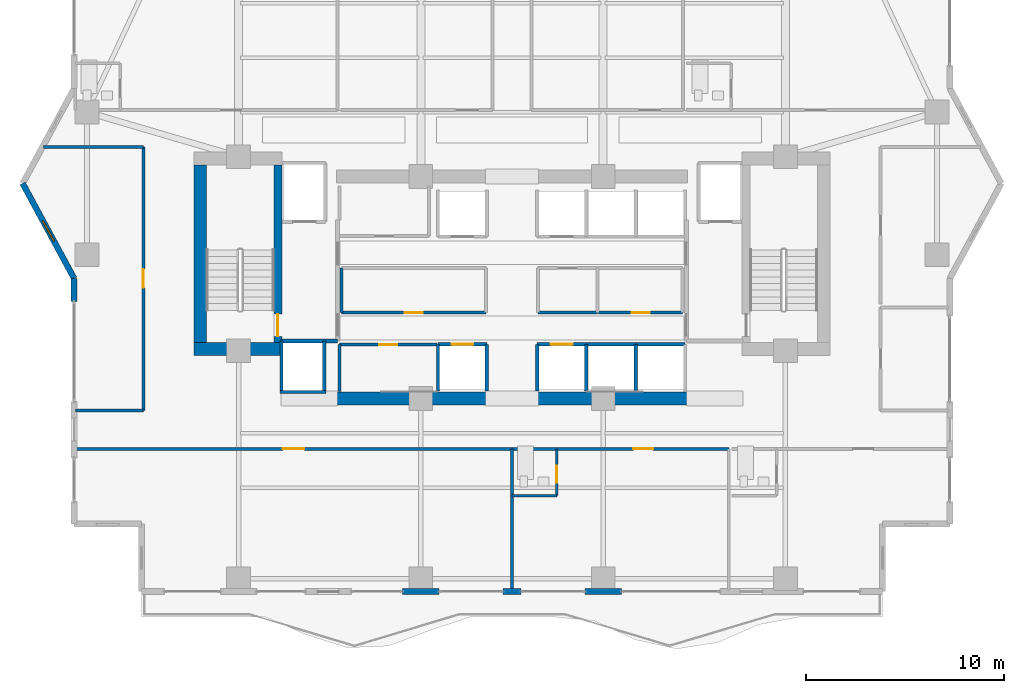
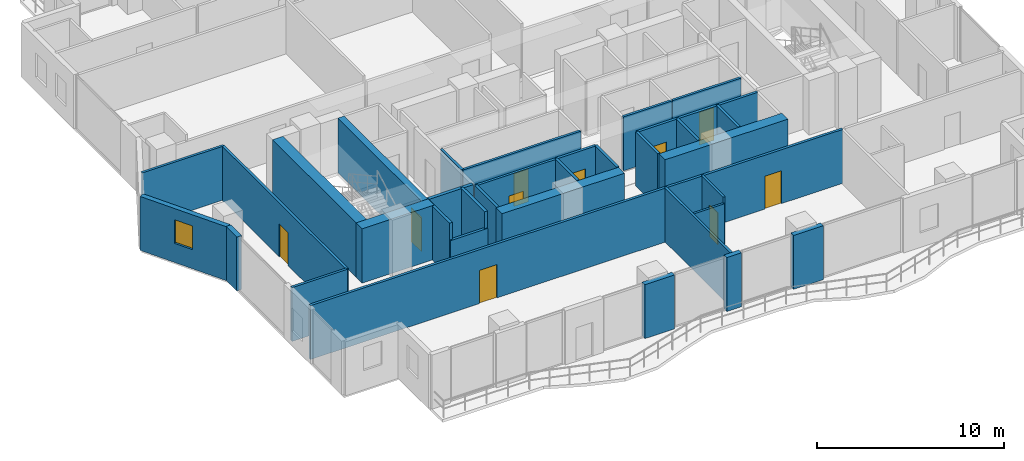
# One storey, part 25 of 33: 37 walls, 10 doors, 1 window, 11 openings.
"""IFC4 building model written with IfcOpenShell, lengths in metres."""

from ifc_helpers import new_model, si_unit, direction, frame, frame_2d, origin, place, context, subcontext, project, spatial, rectangle, extrude, material, layer, layer_set, type_object, element, fill, save


model = new_model("IFC4")

# Units and contexts
model_context = context("Model", 3, precision=1e-05, world=origin(), true_north=direction((0.0, 1.0)))
body_context = subcontext(model_context, "Body", "Model", "MODEL_VIEW")
ifc_project = project(units=[si_unit("LENGTHUNIT", "METRE"), si_unit("AREAUNIT", "SQUARE_METRE"), si_unit("VOLUMEUNIT", "CUBIC_METRE"), si_unit("PLANEANGLEUNIT", "RADIAN"), si_unit("MASSUNIT", "GRAM", prefix="KILO")], contexts=[model_context])

# Site, building, storey
site_placement = place(None, origin())
site = spatial("IfcSite", under=ifc_project, at=site_placement, CompositionType="ELEMENT")
building_placement = place(site_placement, origin())
building = spatial("IfcBuilding", under=site, at=building_placement, Name="Zuhayl Quay Hotel", CompositionType="ELEMENT")
storey_placement = place(building_placement, frame((0.0, 0.0, 214.89990234375)))
storey = spatial("IfcBuildingStorey", under=building, at=storey_placement, Name="L54", CompositionType="ELEMENT", Elevation=214.89990234375)

# Walls
ifc_material_1 = material(Name="Concrete C50/60", Category="concrete")
ifc_layer_1 = layer(ifc_material_1, 0.64990234375, Name="Concrete C50/60", Category="concrete")
ifc_layer_set_1 = layer_set([ifc_layer_1], Name="Concrete C50/60")
wall_type_1 = type_object("IfcWallType", Name="WL_CORE_650", PredefinedType="SHEAR", material=ifc_layer_set_1)
wall_1_placement = place(storey_placement, frame((-15.735107421875, 4.969970703125, 0.0), z_axis=(0.0, 0.0, 1.0), x_axis=(0.0, 1.0, 0.0)))
element("IfcWall", 1, at=wall_1_placement, inside=storey, type_object=wall_type_1, Name="L54 Core Shear Wall CW_W", PredefinedType="SHEAR", context=body_context, shape_type="SweptSolid", body=[
    extrude(rectangle(XDim=8.9599609375, YDim=0.64990234375, at=frame_2d((4.47998046875, 0.0))), origin(), (0.0, 0.0, 1.0), 3.56005859375),
])
wall_2_placement = place(storey_placement, frame((-16.06005859375, 4.64501953125, 0.0), z_axis=(0.0, 0.0, 1.0), x_axis=(1.0, 0.0, 0.0)))
element("IfcWall", 2, at=wall_2_placement, inside=storey, type_object=wall_type_1, Name="L54 Core Shear Wall CW_SW", PredefinedType="SHEAR", context=body_context, shape_type="SweptSolid", body=[
    extrude(rectangle(XDim=4.4599609375, YDim=0.64990234375, at=frame_2d((2.22998046875, 0.0))), origin(), (0.0, 0.0, 1.0), 3.56005859375),
])
for number, where, z_axis, x_axis, name in (
    (3, (-8.85009765625, 2.14990234375, 0.0), (0.0, 0.0, 1.0), (1.0, 0.0, 0.0), "L54 Core Shear Wall CW_SC_W"),
    (4, (1.25, 2.14990234375, 0.0), (0.0, 0.0, 1.0), (1.0, 0.0, 0.0), "L54 Core Shear Wall CW_SC_E"),
):
    element("IfcWall", number, at=place(storey_placement, frame(where, z_axis=z_axis, x_axis=x_axis)), inside=storey, type_object=wall_type_1, Name=name, PredefinedType="SHEAR", context=body_context, shape_type="SweptSolid", body=[
        extrude(rectangle(XDim=7.60009765625, YDim=0.64990234375, at=frame_2d((3.800048828125, 0.0))), origin(), (0.0, 0.0, 1.0), 3.530029296875),
    ])
ifc_material_2 = material(Name="Precast concrete C45/55", Category="concrete")
ifc_layer_2 = layer(ifc_material_2, 0.300048828125, Name="Precast concrete C45/55", Category="concrete")
ifc_layer_set_2 = layer_set([ifc_layer_2], Name="Precast concrete C45/55")
wall_type_2 = type_object("IfcWallType", Name="WL_EXT_300", PredefinedType="STANDARD", material=ifc_layer_set_2)
wall_3_placement = place(storey_placement, frame((-22.10009765625, 7.050048828125, 0.0), z_axis=(0.0, 0.0, 1.0), x_axis=(0.0, 1.0, 0.0)))
element("IfcWall", 5, at=wall_3_placement, inside=storey, type_object=wall_type_2, Name="L54 Exterior Precast Wall ENV_L54_E02_EW3", PredefinedType="STANDARD", context=body_context, shape_type="SweptSolid", body=[
    extrude(rectangle(XDim=1.14990234375, YDim=0.300048828125, at=frame_2d((0.574951171875, 0.0))), origin(), (0.0, 0.0, 1.0), 3.530029296875),
])

# Wall, opening, window
wall_4_placement = place(storey_placement, frame((-22.10009765625, 8.199951171875, 0.0), z_axis=(0.0, 0.0, 1.0), x_axis=(-0.476258655584, 0.879305233114, 0.0)))
wall_4 = element("IfcWall", 6, at=wall_4_placement, inside=storey, type_object=wall_type_2, Name="L54 Exterior Precast Wall ENV_L54_EW03", PredefinedType="STANDARD", context=body_context, shape_type="SweptSolid", body=[
    extrude(rectangle(XDim=5.458984375, YDim=0.300048828125, at=frame_2d((2.7294921875, 0.0))), origin(), (0.0, 0.0, 1.0), 3.530029296875),
])
opening_1_placement = place(wall_4_placement, frame((2.154541015625, 0.0, 1.25)))
opening_1 = element("IfcOpeningElement", 7, at=opening_1_placement, cuts=wall_4, Name="Opening W01N", PredefinedType="OPENING", context=body_context, shape_type="SweptSolid", body=[
    extrude(rectangle(XDim=1.14990234375, YDim=1.550048828125, at=frame_2d((0.574951171875, 0.77490234375))), frame((0.0, 0.159912109375, 0.0), z_axis=(0.0, -1.0, 0.0), x_axis=(1.0, 0.0, 0.0)), (0.0, 0.0, 1.0), 0.320068359375),
])
ifc_material_3 = material(Name="Dark Ceramic-Fritted Solar Glass", Category="glass")
window_type = type_object("IfcWindowType", Name="WN_NOTCH_1350", PartitioningType="SINGLE_PANEL", PredefinedType="WINDOW", material=ifc_material_3)
window_placement = place(opening_1_placement, origin())
window = element("IfcWindow", 8, at=window_placement, inside=storey, type_object=window_type, Name="L54 Corner Notch Window 3", OverallHeight=1.550048828125, OverallWidth=1.14990234375, PartitioningType="SINGLE_PANEL", PredefinedType="WINDOW", context=body_context, shape_type="SweptSolid", body=[
    extrude(rectangle(XDim=1.14990234375, YDim=1.550048828125, at=frame_2d((0.574951171875, 0.77490234375))), frame((0.0, 0.030029296875, 0.0), z_axis=(0.0, -1.0, 0.0), x_axis=(1.0, 0.0, 0.0)), (0.0, 0.0, 1.0), 0.06005859375),
])
fill(opening_1, window)

# Walls
wall_5_placement = place(storey_placement, frame((5.52001953125, -7.60009765625, 0.0), z_axis=(0.0, 0.0, 1.0), x_axis=(-1.0, 0.0, 0.0)))
element("IfcWall", 9, at=wall_5_placement, inside=storey, type_object=wall_type_2, Name="L54 Exterior Precast Wall ENV_L54_S_EW3", PredefinedType="STANDARD", context=body_context, shape_type="SweptSolid", body=[
    extrude(rectangle(XDim=1.840087890625, YDim=0.300048828125, at=frame_2d((0.919921875, 0.0))), origin(), (0.0, 0.0, 1.0), 3.530029296875),
])
wall_6_placement = place(storey_placement, frame((0.449951171875, -7.60009765625, 0.0), z_axis=(0.0, 0.0, 1.0), x_axis=(-1.0, 0.0, 0.0)))
element("IfcWall", 10, at=wall_6_placement, inside=storey, type_object=wall_type_2, Name="L54 Exterior Precast Wall ENV_L54_S_EW4", PredefinedType="STANDARD", context=body_context, shape_type="SweptSolid", body=[
    extrude(rectangle(XDim=0.89990234375, YDim=0.300048828125, at=frame_2d((0.449951171875, 0.0))), origin(), (0.0, 0.0, 1.0), 3.530029296875),
])
wall_7_placement = place(storey_placement, frame((-3.679931640625, -7.60009765625, 0.0), z_axis=(0.0, 0.0, 1.0), x_axis=(-1.0, 0.0, 0.0)))
element("IfcWall", 11, at=wall_7_placement, inside=storey, type_object=wall_type_2, Name="L54 Exterior Precast Wall ENV_L54_S_EW5", PredefinedType="STANDARD", context=body_context, shape_type="SweptSolid", body=[
    extrude(rectangle(XDim=1.840087890625, YDim=0.300048828125, at=frame_2d((0.919921875, 0.0))), origin(), (0.0, 0.0, 1.0), 3.530029296875),
])

# Wall, opening, door
ifc_material_4 = material(Name="Acoustic Gypsum Partition STC-58")
ifc_layer_3 = layer(ifc_material_4, 0.14990234375, Name="Acoustic Gypsum Partition STC-58")
ifc_layer_set_3 = layer_set([ifc_layer_3], Name="Acoustic Gypsum Partition STC-58")
wall_type_3 = type_object("IfcWallType", Name="WL_PART_150", PredefinedType="PARTITIONING", material=ifc_layer_set_3)
wall_8_placement = place(storey_placement, frame((-8.7099609375, 4.860107421875, 0.0), z_axis=(0.0, 0.0, 1.0), x_axis=(1.0, 0.0, 0.0)))
wall_8 = element("IfcWall", 12, at=wall_8_placement, inside=storey, type_object=wall_type_3, Name="L54 Partition IW_L54_FLP_S_N", PredefinedType="PARTITIONING", context=body_context, shape_type="SweptSolid", body=[
    extrude(rectangle(XDim=4.919921875, YDim=0.14990234375, at=frame_2d((2.4599609375, 0.0))), origin(), (0.0, 0.0, 1.0), 3.530029296875),
])
opening_2_placement = place(wall_8_placement, frame((2.010009765625, 0.0, 0.0)))
opening_2 = element("IfcOpeningElement", 13, at=opening_2_placement, cuts=wall_8, Name="Opening D06", PredefinedType="OPENING", context=body_context, shape_type="SweptSolid", body=[
    extrude(rectangle(XDim=0.89990234375, YDim=2.14990234375, at=frame_2d((0.449951171875, 1.074951171875))), frame((0.0, 0.0849609375, 0.0), z_axis=(0.0, -1.0, 0.0), x_axis=(1.0, 0.0, 0.0)), (0.0, 0.0, 1.0), 0.169921875),
])
ifc_material_5 = material(Name="Steel ASTM A992 Grade 50", Category="steel")
door_type_1 = type_object("IfcDoorType", Name="DR_INT_900", OperationType="NOTDEFINED", PredefinedType="DOOR", material=ifc_material_5)
door_1_placement = place(opening_2_placement, origin())
door_1 = element("IfcDoor", 14, at=door_1_placement, inside=storey, type_object=door_type_1, Name="L54 Sky-Zone Butler Servery Door", OperationType="SINGLE_SWING_RIGHT", OverallHeight=2.14990234375, OverallWidth=0.89990234375, PredefinedType="DOOR", context=body_context, shape_type="SweptSolid", body=[
    extrude(rectangle(XDim=0.89990234375, YDim=2.14990234375, at=frame_2d((0.449951171875, 1.074951171875))), frame((0.0, 0.02490234375, 0.0), z_axis=(0.0, -1.0, 0.0), x_axis=(1.0, 0.0, 0.0)), (0.0, 0.0, 1.0), 0.050048828125),
])
fill(opening_2, door_1)

wall_9_placement = place(storey_placement, frame((-8.610107421875, 6.47998046875, 0.0), z_axis=(0.0, 0.0, 1.0), x_axis=(1.0, 0.0, 0.0)))
wall_9 = element("IfcWall", 15, at=wall_9_placement, inside=storey, type_object=wall_type_3, Name="L54 Partition IW_L54_CORE_EL_S", PredefinedType="PARTITIONING", context=body_context, shape_type="SweptSolid", body=[
    extrude(rectangle(XDim=7.2900390625, YDim=0.14990234375, at=frame_2d((3.64501953125, 0.0))), origin(), (0.0, 0.0, 1.0), 3.530029296875),
])
opening_3_placement = place(wall_9_placement, frame((3.195068359375, 0.0, 0.0)))
opening_3 = element("IfcOpeningElement", 16, at=opening_3_placement, cuts=wall_9, Name="Opening D06", PredefinedType="OPENING", context=body_context, shape_type="SweptSolid", body=[
    extrude(rectangle(XDim=0.89990234375, YDim=2.14990234375, at=frame_2d((0.449951171875, 1.074951171875))), frame((0.0, 0.0849609375, 0.0), z_axis=(0.0, -1.0, 0.0), x_axis=(1.0, 0.0, 0.0)), (0.0, 0.0, 1.0), 0.169921875),
])
door_2_placement = place(opening_3_placement, origin())
door_2 = element("IfcDoor", 17, at=door_2_placement, inside=storey, type_object=door_type_1, Name="L54 Floor Electrical Plant Room Door", OperationType="SINGLE_SWING_RIGHT", OverallHeight=2.14990234375, OverallWidth=0.89990234375, PredefinedType="DOOR", context=body_context, shape_type="SweptSolid", body=[
    extrude(rectangle(XDim=0.89990234375, YDim=2.14990234375, at=frame_2d((0.449951171875, 1.074951171875))), frame((0.0, 0.02490234375, 0.0), z_axis=(0.0, -1.0, 0.0), x_axis=(1.0, 0.0, 0.0)), (0.0, 0.0, 1.0), 0.050048828125),
])
fill(opening_3, door_2)

wall_10_placement = place(storey_placement, frame((4.3701171875, 6.47998046875, 0.0), z_axis=(0.0, 0.0, 1.0), x_axis=(1.0, 0.0, 0.0)))
wall_10 = element("IfcWall", 18, at=wall_10_placement, inside=storey, type_object=wall_type_3, Name="L54 Partition IW_L54_CORE_LN_S", PredefinedType="PARTITIONING", context=body_context, shape_type="SweptSolid", body=[
    extrude(rectangle(XDim=4.239990234375, YDim=0.14990234375, at=frame_2d((2.1201171875, 0.0))), origin(), (0.0, 0.0, 1.0), 3.530029296875),
])
opening_4_placement = place(wall_10_placement, frame((1.669921875, 0.0, 0.0)))
opening_4 = element("IfcOpeningElement", 19, at=opening_4_placement, cuts=wall_10, Name="Opening D06", PredefinedType="OPENING", context=body_context, shape_type="SweptSolid", body=[
    extrude(rectangle(XDim=0.89990234375, YDim=2.14990234375, at=frame_2d((0.449951171875, 1.074951171875))), frame((0.0, 0.0849609375, 0.0), z_axis=(0.0, -1.0, 0.0), x_axis=(1.0, 0.0, 0.0)), (0.0, 0.0, 1.0), 0.169921875),
])
door_3_placement = place(opening_4_placement, origin())
door_3 = element("IfcDoor", 20, at=door_3_placement, inside=storey, type_object=door_type_1, Name="L54 Core Linen Store Door", OperationType="SINGLE_SWING_RIGHT", OverallHeight=2.14990234375, OverallWidth=0.89990234375, PredefinedType="DOOR", context=body_context, shape_type="SweptSolid", body=[
    extrude(rectangle(XDim=0.89990234375, YDim=2.14990234375, at=frame_2d((0.449951171875, 1.074951171875))), frame((0.0, 0.02490234375, 0.0), z_axis=(0.0, -1.0, 0.0), x_axis=(1.0, 0.0, 0.0)), (0.0, 0.0, 1.0), 0.050048828125),
])
fill(opening_4, door_3)

# Walls
wall_11_placement = place(storey_placement, frame((-8.7099609375, 2.489990234375, 0.0), z_axis=(0.0, 0.0, 1.0), x_axis=(0.0, 1.0, 0.0)))
element("IfcWall", 21, at=wall_11_placement, inside=storey, type_object=wall_type_3, Name="L54 Partition IW_L54_FLP_S_W", PredefinedType="PARTITIONING", context=body_context, shape_type="SweptSolid", body=[
    extrude(rectangle(XDim=2.3701171875, YDim=0.14990234375, at=frame_2d((1.18505859375, 0.0))), origin(), (0.0, 0.0, 1.0), 3.530029296875),
])
wall_12_placement = place(storey_placement, frame((-8.610107421875, 6.47998046875, 0.0), z_axis=(0.0, 0.0, 1.0), x_axis=(0.0, 1.0, 0.0)))
element("IfcWall", 22, at=wall_12_placement, inside=storey, type_object=wall_type_3, Name="L54 Partition IW_L54_CORE_EL_W", PredefinedType="PARTITIONING", context=body_context, shape_type="SweptSolid", body=[
    extrude(rectangle(XDim=2.239990234375, YDim=0.14990234375, at=frame_2d((1.1201171875, 0.0))), origin(), (0.0, 0.0, 1.0), 3.530029296875),
])
wall_13_placement = place(storey_placement, frame((1.320068359375, 6.47998046875, 0.0), z_axis=(0.0, 0.0, 1.0), x_axis=(1.0, 0.0, 0.0)))
element("IfcWall", 23, at=wall_13_placement, inside=storey, type_object=wall_type_3, Name="L54 Partition IW_L54_CORE_IT_S", PredefinedType="PARTITIONING", context=body_context, shape_type="SweptSolid", body=[
    extrude(rectangle(XDim=2.989990234375, YDim=0.14990234375, at=frame_2d((1.4951171875, 0.0))), origin(), (0.0, 0.0, 1.0), 3.530029296875),
])
wall_14_placement = place(storey_placement, frame((0.0, -7.5400390625, 0.0), z_axis=(0.0, 0.0, 1.0), x_axis=(0.0, 1.0, 0.0)))
element("IfcWall", 24, at=wall_14_placement, inside=storey, type_object=wall_type_3, Name="L54 Partition IW_L54_SSAL_0_E", PredefinedType="PARTITIONING", context=body_context, shape_type="SweptSolid", body=[
    extrude(rectangle(XDim=7.14013671875, YDim=0.14990234375, at=frame_2d((3.570068359375, 0.0))), origin(), (0.0, 0.0, 1.0), 3.530029296875),
])
wall_15_placement = place(storey_placement, frame((-22.0400390625, 1.550048828125, 0.0), z_axis=(0.0, 0.0, 1.0), x_axis=(1.0, 0.0, 0.0)))
element("IfcWall", 25, at=wall_15_placement, inside=storey, type_object=wall_type_3, Name="L54 Partition IW_L54_WPROW_1_S", PredefinedType="PARTITIONING", context=body_context, shape_type="SweptSolid", body=[
    extrude(rectangle(XDim=3.43994140625, YDim=0.14990234375, at=frame_2d((1.719970703125, 0.0))), origin(), (0.0, 0.0, 1.0), 3.530029296875),
])
wall_16_placement = place(storey_placement, frame((-23.637939453125, 14.85009765625, 0.0), z_axis=(0.0, 0.0, 1.0), x_axis=(1.0, 0.0, 0.0)))
element("IfcWall", 26, at=wall_16_placement, inside=storey, type_object=wall_type_3, Name="L54 Partition IW_L54_WPROW_1_N", PredefinedType="PARTITIONING", context=body_context, shape_type="SweptSolid", body=[
    extrude(rectangle(XDim=5.037841796875, YDim=0.14990234375, at=frame_2d((2.51904296875, 0.0))), origin(), (0.0, 0.0, 1.0), 3.530029296875),
])

# Wall, opening, door
ifc_layer_4 = layer(ifc_material_4, 0.159912109375, Name="Acoustic Gypsum Partition STC-58")
ifc_layer_set_4 = layer_set([ifc_layer_4], Name="Acoustic Gypsum Partition STC-58")
wall_type_4 = type_object("IfcWallType", Name="WL_PART_CORR_160", PredefinedType="PARTITIONING", material=ifc_layer_set_4)
wall_17_placement = place(storey_placement, frame((-22.0400390625, -0.39990234375, 0.0), z_axis=(0.0, 0.0, 1.0), x_axis=(1.0, 0.0, 0.0)))
wall_17 = element("IfcWall", 27, at=wall_17_placement, inside=storey, type_object=wall_type_4, Name="L54 Partition IW_L54_SSAL_0_N", PredefinedType="PARTITIONING", context=body_context, shape_type="SweptSolid", body=[
    extrude(rectangle(XDim=22.0400390625, YDim=0.159912109375, at=frame_2d((11.02001953125, 0.0))), origin(), (0.0, 0.0, 1.0), 3.530029296875),
])
opening_5_placement = place(wall_17_placement, frame((10.47998046875, 0.0, 0.0)))
opening_5 = element("IfcOpeningElement", 28, at=opening_5_placement, cuts=wall_17, Name="Opening D05A", PredefinedType="OPENING", context=body_context, shape_type="SweptSolid", body=[
    extrude(rectangle(XDim=1.080078125, YDim=2.179931640625, at=frame_2d((0.5400390625, 1.08984375))), frame((0.0, 0.08984375, 0.0), z_axis=(0.0, -1.0, 0.0), x_axis=(1.0, 0.0, 0.0)), (0.0, 0.0, 1.0), 0.179931640625),
])
ifc_material_6 = material(Name="Solid Walnut Acoustic Fire Door")
door_type_2 = type_object("IfcDoorType", Name="DR_INT_1100", OperationType="NOTDEFINED", PredefinedType="DOOR", material=ifc_material_6)
door_4_placement = place(opening_5_placement, origin())
door_4 = element("IfcDoor", 29, at=door_4_placement, inside=storey, type_object=door_type_2, Name="L54 South Sunset Salon L54 Door", OperationType="SINGLE_SWING_LEFT", OverallHeight=2.179931640625, OverallWidth=1.080078125, PredefinedType="DOOR", context=body_context, shape_type="SweptSolid", body=[
    extrude(rectangle(XDim=1.080078125, YDim=2.179931640625, at=frame_2d((0.5400390625, 1.08984375))), frame((0.0, 0.02490234375, 0.0), z_axis=(0.0, -1.0, 0.0), x_axis=(1.0, 0.0, 0.0)), (0.0, 0.0, 1.0), 0.050048828125),
])
fill(opening_5, door_4)

wall_18_placement = place(storey_placement, frame((0.0, -0.39990234375, 0.0), z_axis=(0.0, 0.0, 1.0), x_axis=(1.0, 0.0, 0.0)))
wall_18 = element("IfcWall", 30, at=wall_18_placement, inside=storey, type_object=wall_type_4, Name="L54 Partition IW_L54_SU02A_COR", PredefinedType="PARTITIONING", context=body_context, shape_type="SweptSolid", body=[
    extrude(rectangle(XDim=10.93994140625, YDim=0.159912109375, at=frame_2d((5.469970703125, 0.0))), origin(), (0.0, 0.0, 1.0), 3.530029296875),
])
opening_6_placement = place(wall_18_placement, frame((6.1201171875, 0.0, 0.0)))
opening_6 = element("IfcOpeningElement", 31, at=opening_6_placement, cuts=wall_18, Name="Opening D03L", PredefinedType="OPENING", context=body_context, shape_type="SweptSolid", body=[
    extrude(rectangle(XDim=1.0, YDim=2.14990234375, at=frame_2d((0.5, 1.074951171875))), frame((0.0, 0.08984375, 0.0), z_axis=(0.0, -1.0, 0.0), x_axis=(1.0, 0.0, 0.0)), (0.0, 0.0, 1.0), 0.179931640625),
])
door_type_3 = type_object("IfcDoorType", Name="DR_SUITE_1000", OperationType="NOTDEFINED", PredefinedType="DOOR", material=ifc_material_6)
door_5_placement = place(opening_6_placement, origin())
door_5 = element("IfcDoor", 32, at=door_5_placement, inside=storey, type_object=door_type_3, Name="L54 City-View Junior Suite L54-02A Entrance Door", OperationType="SINGLE_SWING_LEFT", OverallHeight=2.14990234375, OverallWidth=1.0, PredefinedType="DOOR", context=body_context, shape_type="SweptSolid", body=[
    extrude(rectangle(XDim=1.0, YDim=2.14990234375, at=frame_2d((0.5, 1.074951171875))), frame((0.0, 0.02490234375, 0.0), z_axis=(0.0, -1.0, 0.0), x_axis=(1.0, 0.0, 0.0)), (0.0, 0.0, 1.0), 0.050048828125),
])
fill(opening_6, door_5)

wall_19_placement = place(storey_placement, frame((-18.60009765625, 1.550048828125, 0.0), z_axis=(0.0, 0.0, 1.0), x_axis=(0.0, 1.0, 0.0)))
wall_19 = element("IfcWall", 33, at=wall_19_placement, inside=storey, type_object=wall_type_4, Name="L54 Partition IW_L54_WPROW_1_E", PredefinedType="PARTITIONING", context=body_context, shape_type="SweptSolid", body=[
    extrude(rectangle(XDim=13.300048828125, YDim=0.159912109375, at=frame_2d((6.64990234375, 0.0))), origin(), (0.0, 0.0, 1.0), 3.530029296875),
])
opening_7_placement = place(wall_19_placement, frame((6.175048828125, 0.0, 0.0)))
opening_7 = element("IfcOpeningElement", 34, at=opening_7_placement, cuts=wall_19, Name="Opening D03", PredefinedType="OPENING", context=body_context, shape_type="SweptSolid", body=[
    extrude(rectangle(XDim=0.949951171875, YDim=2.14990234375, at=frame_2d((0.47509765625, 1.074951171875))), frame((0.0, 0.08984375, 0.0), z_axis=(0.0, -1.0, 0.0), x_axis=(1.0, 0.0, 0.0)), (0.0, 0.0, 1.0), 0.179931640625),
])
door_type_4 = type_object("IfcDoorType", Name="DR_SUITE_950", OperationType="NOTDEFINED", PredefinedType="DOOR", material=ifc_material_6)
door_6_placement = place(opening_7_placement, origin())
door_6 = element("IfcDoor", 35, at=door_6_placement, inside=storey, type_object=door_type_4, Name="L54 West Prow Panoramic Salon L54 Door", OperationType="SINGLE_SWING_RIGHT", OverallHeight=2.14990234375, OverallWidth=0.949951171875, PredefinedType="DOOR", context=body_context, shape_type="SweptSolid", body=[
    extrude(rectangle(XDim=0.949951171875, YDim=2.14990234375, at=frame_2d((0.47509765625, 1.074951171875))), frame((0.0, 0.02490234375, 0.0), z_axis=(0.0, -1.0, 0.0), x_axis=(1.0, 0.0, 0.0)), (0.0, 0.0, 1.0), 0.050048828125),
])
fill(opening_7, door_6)

ifc_material_7 = material(Name="Moisture-Resistant Sanitarychase Gypsum")
ifc_layer_5 = layer(ifc_material_7, 0.135009765625, Name="Moisture-Resistant Sanitarychase Gypsum")
ifc_layer_set_5 = layer_set([ifc_layer_5], Name="Moisture-Resistant Sanitarychase Gypsum")
wall_type_5 = type_object("IfcWallType", Name="WL_PART_PLUMB_150", PredefinedType="PLUMBINGWALL", material=ifc_layer_set_5)
wall_20_placement = place(storey_placement, frame((2.260009765625, -2.760009765625, 0.0), z_axis=(0.0, 0.0, 1.0), x_axis=(0.0, 1.0, 0.0)))
wall_20 = element("IfcWall", 36, at=wall_20_placement, inside=storey, type_object=wall_type_5, Name="L54 Partition IW_L54_SU02A_BE", PredefinedType="PLUMBINGWALL", context=body_context, shape_type="SweptSolid", body=[
    extrude(rectangle(XDim=2.360107421875, YDim=0.135009765625, at=frame_2d((1.18017578125, 0.0))), origin(), (0.0, 0.0, 1.0), 3.530029296875),
])
opening_8_placement = place(wall_20_placement, frame((0.64990234375, 0.0, 0.0)))
opening_8 = element("IfcOpeningElement", 37, at=opening_8_placement, cuts=wall_20, Name="Opening D04", PredefinedType="OPENING", context=body_context, shape_type="SweptSolid", body=[
    extrude(rectangle(XDim=0.85009765625, YDim=2.10009765625, at=frame_2d((0.425048828125, 1.050048828125))), frame((0.0, 0.077392578125, 0.0), z_axis=(0.0, -1.0, 0.0), x_axis=(1.0, 0.0, 0.0)), (0.0, 0.0, 1.0), 0.155029296875),
])
ifc_material_8 = material(Name="Moisture-Resistant Walnut Veneer")
door_type_5 = type_object("IfcDoorType", Name="DR_BATH_850", OperationType="NOTDEFINED", PredefinedType="DOOR", material=ifc_material_8)
door_7_placement = place(opening_8_placement, origin())
door_7 = element("IfcDoor", 38, at=door_7_placement, inside=storey, type_object=door_type_5, Name="L54 City-View Junior Suite L54-02A En-Suite Door", OperationType="SINGLE_SWING_RIGHT", OverallHeight=2.10009765625, OverallWidth=0.85009765625, PredefinedType="DOOR", context=body_context, shape_type="SweptSolid", body=[
    extrude(rectangle(XDim=0.85009765625, YDim=2.10009765625, at=frame_2d((0.425048828125, 1.050048828125))), frame((0.0, 0.02490234375, 0.0), z_axis=(0.0, -1.0, 0.0), x_axis=(1.0, 0.0, 0.0)), (0.0, 0.0, 1.0), 0.050048828125),
])
fill(opening_8, door_7)

# Wall
wall_21_placement = place(storey_placement, frame((0.0, -2.760009765625, 0.0), z_axis=(0.0, 0.0, 1.0), x_axis=(1.0, 0.0, 0.0)))
element("IfcWall", 39, at=wall_21_placement, inside=storey, type_object=wall_type_5, Name="L54 Partition IW_L54_SU02A_BS", PredefinedType="PLUMBINGWALL", context=body_context, shape_type="SweptSolid", body=[
    extrude(rectangle(XDim=2.260009765625, YDim=0.135009765625, at=frame_2d((1.1298828125, 0.0))), origin(), (0.0, 0.0, 1.0), 3.1240234375),
])

# Wall, opening, door
ifc_material_9 = material(Name="Gypsum Fireboard Assembly EI-90")
ifc_layer_6 = layer(ifc_material_9, 0.1650390625, Name="Gypsum Fireboard Assembly EI-90")
ifc_layer_set_6 = layer_set([ifc_layer_6], Name="Gypsum Fireboard Assembly EI-90")
wall_type_6 = type_object("IfcWallType", Name="WL_PART_SHAFT_160", PredefinedType="PARTITIONING", material=ifc_layer_set_6)
wall_22_placement = place(storey_placement, frame((-3.72998046875, 4.8798828125, 0.0), z_axis=(0.0, 0.0, 1.0), x_axis=(1.0, 0.0, 0.0)))
wall_22 = element("IfcWall", 40, at=wall_22_placement, inside=storey, type_object=wall_type_6, Name="L54 Partition IW_L54_SH_MP1_F", PredefinedType="PARTITIONING", context=body_context, shape_type="SweptSolid", body=[
    extrude(rectangle(XDim=2.4599609375, YDim=0.1650390625, at=frame_2d((1.22998046875, 0.0))), origin(), (0.0, 0.0, 1.0), 3.530029296875),
])
opening_9_placement = place(wall_22_placement, frame((0.679931640625, 0.0, 0.0)))
opening_9 = element("IfcOpeningElement", 41, at=opening_9_placement, cuts=wall_22, Name="Opening LD1", PredefinedType="OPENING", context=body_context, shape_type="SweptSolid", body=[
    extrude(rectangle(XDim=1.10009765625, YDim=2.25, at=frame_2d((0.550048828125, 1.125))), frame((0.0, 0.092529296875, 0.0), z_axis=(0.0, -1.0, 0.0), x_axis=(1.0, 0.0, 0.0)), (0.0, 0.0, 1.0), 0.18505859375),
])
ifc_material_10 = material(Name="Brushed Stainless Steel", Category="steel")
door_type_6 = type_object("IfcDoorType", Name="DR_LIFT_PASS_1100", OperationType="SLIDING_TO_LEFT", PredefinedType="DOOR", material=ifc_material_10)
door_8_placement = place(opening_9_placement, origin())
door_8 = element("IfcDoor", 42, at=door_8_placement, inside=storey, type_object=door_type_6, Name="L54 Lift MP1 Sliding Landing Door", OperationType="SLIDING_TO_LEFT", OverallHeight=2.25, OverallWidth=1.10009765625, PredefinedType="DOOR", context=body_context, shape_type="SweptSolid", body=[
    extrude(rectangle(XDim=1.10009765625, YDim=2.25, at=frame_2d((0.550048828125, 1.125))), frame((0.0, 0.02490234375, 0.0), z_axis=(0.0, -1.0, 0.0), x_axis=(1.0, 0.0, 0.0)), (0.0, 0.0, 1.0), 0.050048828125),
])
fill(opening_9, door_8)

wall_23_placement = place(storey_placement, frame((1.27001953125, 4.8798828125, 0.0), z_axis=(0.0, 0.0, 1.0), x_axis=(1.0, 0.0, 0.0)))
wall_23 = element("IfcWall", 43, at=wall_23_placement, inside=storey, type_object=wall_type_6, Name="L54 Partition IW_L54_SH_MP2_F", PredefinedType="PARTITIONING", context=body_context, shape_type="SweptSolid", body=[
    extrude(rectangle(XDim=2.47998046875, YDim=0.1650390625, at=frame_2d((1.239990234375, 0.0))), origin(), (0.0, 0.0, 1.0), 3.530029296875),
])
opening_10_placement = place(wall_23_placement, frame((0.68994140625, 0.0, 0.0)))
opening_10 = element("IfcOpeningElement", 44, at=opening_10_placement, cuts=wall_23, Name="Opening LD1", PredefinedType="OPENING", context=body_context, shape_type="SweptSolid", body=[
    extrude(rectangle(XDim=1.10009765625, YDim=2.25, at=frame_2d((0.550048828125, 1.125))), frame((0.0, 0.092529296875, 0.0), z_axis=(0.0, -1.0, 0.0), x_axis=(1.0, 0.0, 0.0)), (0.0, 0.0, 1.0), 0.18505859375),
])
door_9_placement = place(opening_10_placement, origin())
door_9 = element("IfcDoor", 45, at=door_9_placement, inside=storey, type_object=door_type_6, Name="L54 Lift MP2 Sliding Landing Door", OperationType="SLIDING_TO_LEFT", OverallHeight=2.25, OverallWidth=1.10009765625, PredefinedType="DOOR", context=body_context, shape_type="SweptSolid", body=[
    extrude(rectangle(XDim=1.10009765625, YDim=2.25, at=frame_2d((0.550048828125, 1.125))), frame((0.0, 0.02490234375, 0.0), z_axis=(0.0, -1.0, 0.0), x_axis=(1.0, 0.0, 0.0)), (0.0, 0.0, 1.0), 0.050048828125),
])
fill(opening_10, door_9)

# Walls
for number, where, z_axis, x_axis, name in (
    (46, (-3.72998046875, 2.52001953125, 0.0), (0.0, 0.0, 1.0), (0.0, 1.0, 0.0), "L54 Partition IW_L54_SH_MP1_W"),
    (47, (-1.27001953125, 2.52001953125, 0.0), (0.0, 0.0, 1.0), (0.0, 1.0, 0.0), "L54 Partition IW_L54_SH_MP1_E"),
    (48, (1.27001953125, 2.52001953125, 0.0), (0.0, 0.0, 1.0), (0.0, 1.0, 0.0), "L54 Partition IW_L54_SH_MP2_W"),
    (49, (3.75, 2.52001953125, 0.0), (0.0, 0.0, 1.0), (0.0, 1.0, 0.0), "L54 Partition IW_L54_SH_MP2_E"),
):
    element("IfcWall", number, at=place(storey_placement, frame(where, z_axis=z_axis, x_axis=x_axis)), inside=storey, type_object=wall_type_6, Name=name, PredefinedType="PARTITIONING", context=body_context, shape_type="SweptSolid", body=[
        extrude(rectangle(XDim=2.35986328125, YDim=0.1650390625, at=frame_2d((1.179931640625, 0.0))), origin(), (0.0, 0.0, 1.0), 3.530029296875),
    ])
wall_24_placement = place(storey_placement, frame((3.75, 4.8798828125, 0.0), z_axis=(0.0, 0.0, 1.0), x_axis=(1.0, 0.0, 0.0)))
element("IfcWall", 50, at=wall_24_placement, inside=storey, type_object=wall_type_6, Name="L54 Partition IW_L54_SH_HP1_F", PredefinedType="PARTITIONING", context=body_context, shape_type="SweptSolid", body=[
    extrude(rectangle(XDim=2.5, YDim=0.1650390625, at=frame_2d((1.25, 0.0))), origin(), (0.0, 0.0, 1.0), 3.530029296875),
])
wall_25_placement = place(storey_placement, frame((6.25, 2.52001953125, 0.0), z_axis=(0.0, 0.0, 1.0), x_axis=(0.0, 1.0, 0.0)))
element("IfcWall", 51, at=wall_25_placement, inside=storey, type_object=wall_type_6, Name="L54 Partition IW_L54_SH_HP1_E", PredefinedType="PARTITIONING", context=body_context, shape_type="SweptSolid", body=[
    extrude(rectangle(XDim=2.35986328125, YDim=0.1650390625, at=frame_2d((1.179931640625, 0.0))), origin(), (0.0, 0.0, 1.0), 3.530029296875),
])
wall_26_placement = place(storey_placement, frame((6.25, 4.8798828125, 0.0), z_axis=(0.0, 0.0, 1.0), x_axis=(1.0, 0.0, 0.0)))
element("IfcWall", 52, at=wall_26_placement, inside=storey, type_object=wall_type_6, Name="L54 Partition IW_L54_SH_HP2_F", PredefinedType="PARTITIONING", context=body_context, shape_type="SweptSolid", body=[
    extrude(rectangle(XDim=2.47998046875, YDim=0.1650390625, at=frame_2d((1.239990234375, 0.0))), origin(), (0.0, 0.0, 1.0), 3.530029296875),
])
wall_27_placement = place(storey_placement, frame((-11.6298828125, 2.469970703125, 0.0), z_axis=(0.0, 0.0, 1.0), x_axis=(0.0, 1.0, 0.0)))
element("IfcWall", 53, at=wall_27_placement, inside=storey, type_object=wall_type_6, Name="L54 Partition IW_L54_RISER_W", PredefinedType="PARTITIONING", context=body_context, shape_type="SweptSolid", body=[
    extrude(rectangle(XDim=2.580078125, YDim=0.1650390625, at=frame_2d((1.2900390625, 0.0))), origin(), (0.0, 0.0, 1.0), 3.530029296875),
])
wall_28_placement = place(storey_placement, frame((-11.7099609375, 2.469970703125, 0.0), z_axis=(0.0, 0.0, 1.0), x_axis=(1.0, 0.0, 0.0)))
element("IfcWall", 54, at=wall_28_placement, inside=storey, type_object=wall_type_6, Name="L54 Partition IW_L54_RISER_S", PredefinedType="PARTITIONING", context=body_context, shape_type="SweptSolid", body=[
    extrude(rectangle(XDim=2.31005859375, YDim=0.1650390625, at=frame_2d((1.155029296875, 0.0))), origin(), (0.0, 0.0, 1.0), 2.43017578125),
])
ifc_layer_7 = layer(ifc_material_9, 0.179931640625, Name="Gypsum Fireboard Assembly EI-90")
ifc_layer_set_7 = layer_set([ifc_layer_7], Name="Gypsum Fireboard Assembly EI-90")
wall_type_7 = type_object("IfcWallType", Name="WL_PART_SHAFT_180", PredefinedType="PARTITIONING", material=ifc_layer_set_7)
wall_29_placement = place(storey_placement, frame((-9.469970703125, 2.449951171875, 0.0), z_axis=(0.0, 0.0, 1.0), x_axis=(0.0, 1.0, 0.0)))
element("IfcWall", 55, at=wall_29_placement, inside=storey, type_object=wall_type_7, Name="L54 Partition IW_L54_RISER_E", PredefinedType="PARTITIONING", context=body_context, shape_type="SweptSolid", body=[
    extrude(rectangle(XDim=2.60009765625, YDim=0.179931640625, at=frame_2d((1.300048828125, 0.0))), origin(), (0.0, 0.0, 1.0), 3.530029296875),
])
ifc_material_11 = material(Name="Gypsum Fireboard Assembly EI-120")
ifc_layer_8 = layer(ifc_material_11, 0.199951171875, Name="Gypsum Fireboard Assembly EI-120")
ifc_layer_set_8 = layer_set([ifc_layer_8], Name="Gypsum Fireboard Assembly EI-120")
wall_type_8 = type_object("IfcWallType", Name="WL_PART_SHAFT_200", PredefinedType="PARTITIONING", material=ifc_layer_set_8)
wall_30_placement = place(storey_placement, frame((-11.64990234375, 5.050048828125, 0.0), z_axis=(0.0, 0.0, 1.0), x_axis=(1.0, 0.0, 0.0)))
element("IfcWall", 56, at=wall_30_placement, inside=storey, type_object=wall_type_8, Name="L54 Partition IW_L54_FSAE_W_S", PredefinedType="PARTITIONING", context=body_context, shape_type="SweptSolid", body=[
    extrude(rectangle(XDim=2.849853515625, YDim=0.199951171875, at=frame_2d((1.4248046875, 0.0))), origin(), (0.0, 0.0, 1.0), 3.530029296875),
])

# Wall, opening, door
ifc_material_12 = material(Name="Concrete C60/75", Category="concrete")
ifc_layer_9 = layer(ifc_material_12, 0.39990234375, Name="Concrete C60/75", Category="concrete")
ifc_layer_set_9 = layer_set([ifc_layer_9], Name="Concrete C60/75")
wall_type_9 = type_object("IfcWallType", Name="WL_STAIR_400", PredefinedType="SHEAR", material=ifc_layer_set_9)
wall_31_placement = place(storey_placement, frame((-11.820068359375, 4.969970703125, 0.0), z_axis=(0.0, 0.0, 1.0), x_axis=(0.0, 1.0, 0.0)))
wall_31 = element("IfcWall", 57, at=wall_31_placement, inside=storey, type_object=wall_type_9, Name="L54 Core Shear Wall SW_ST1", PredefinedType="SHEAR", context=body_context, shape_type="SweptSolid", body=[
    extrude(rectangle(XDim=8.9599609375, YDim=0.39990234375, at=frame_2d((4.47998046875, 0.0))), origin(), (0.0, 0.0, 1.0), 3.56005859375),
])
opening_11_placement = place(wall_31_placement, frame((0.31005859375, 0.0, 0.0)))
opening_11 = element("IfcOpeningElement", 58, at=opening_11_placement, cuts=wall_31, Name="Opening D01", PredefinedType="OPENING", context=body_context, shape_type="SweptSolid", body=[
    extrude(rectangle(XDim=1.1201171875, YDim=2.219970703125, at=frame_2d((0.56005859375, 1.10986328125))), frame((0.0, 0.2099609375, 0.0), z_axis=(0.0, -1.0, 0.0), x_axis=(1.0, 0.0, 0.0)), (0.0, 0.0, 1.0), 0.419921875),
])
door_type_7 = type_object("IfcDoorType", Name="DR_STAIR_90_1100", OperationType="NOTDEFINED", PredefinedType="DOOR", material=ifc_material_5)
door_10_placement = place(opening_11_placement, origin())
door_10 = element("IfcDoor", 59, at=door_10_placement, inside=storey, type_object=door_type_7, Name="L54 Smokeproof Exit Stair ST1 Door", OperationType="SINGLE_SWING_LEFT", OverallHeight=2.219970703125, OverallWidth=1.1201171875, PredefinedType="DOOR", context=body_context, shape_type="SweptSolid", body=[
    extrude(rectangle(XDim=1.1201171875, YDim=2.219970703125, at=frame_2d((0.56005859375, 1.10986328125))), frame((0.0, 0.02490234375, 0.0), z_axis=(0.0, -1.0, 0.0), x_axis=(1.0, 0.0, 0.0)), (0.0, 0.0, 1.0), 0.050048828125),
])
fill(opening_11, door_10)

save(model, "model.ifc")
